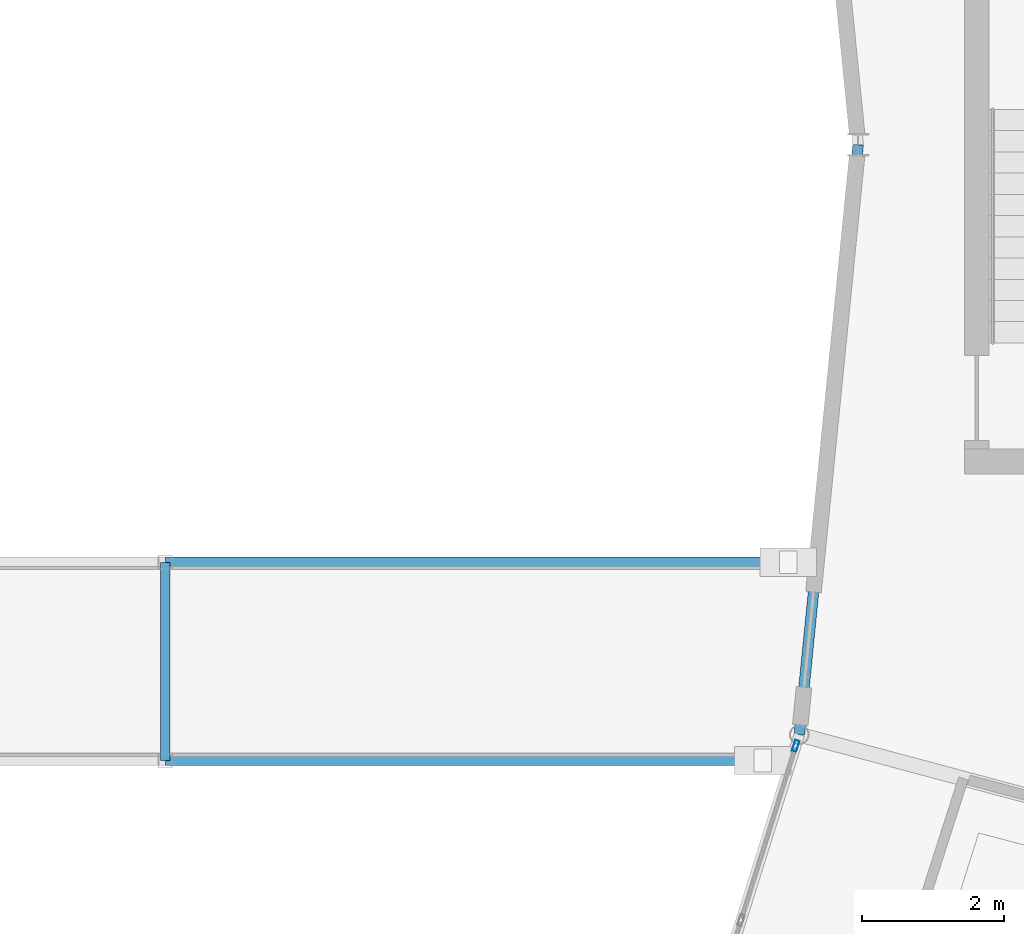
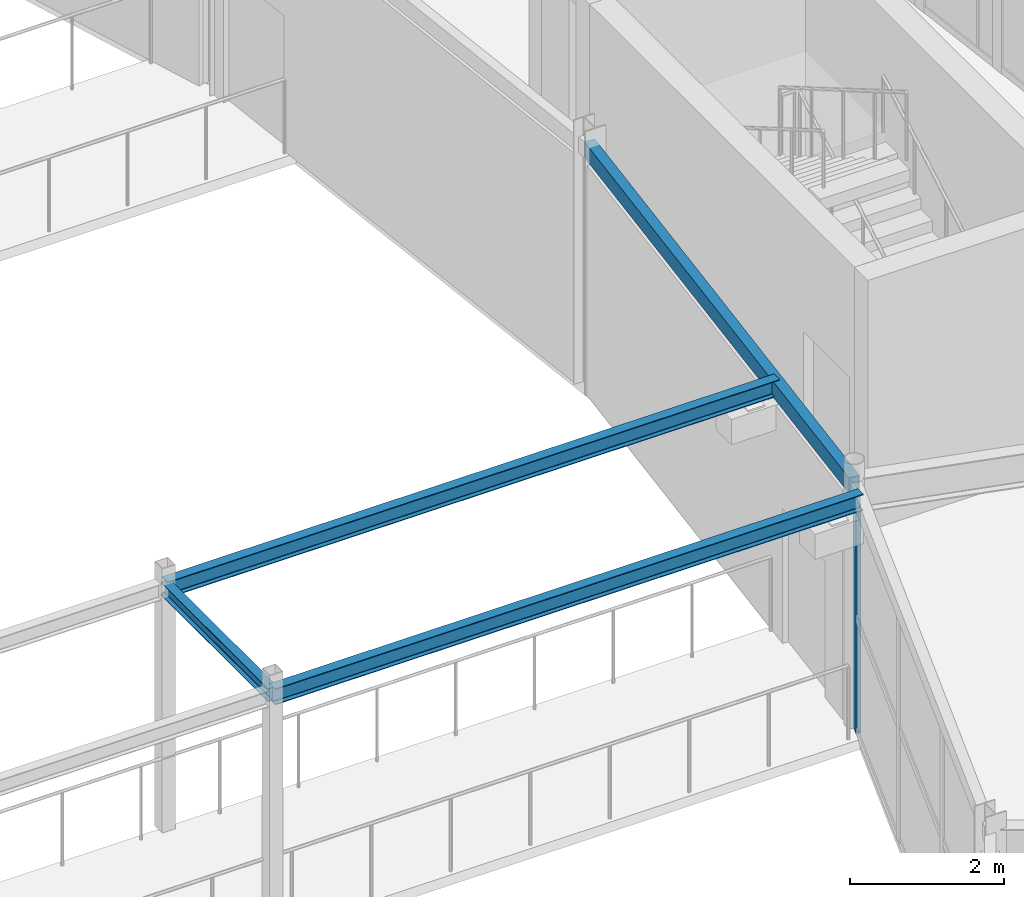
# One storey, part 63 of 148: 4 beams, 1 member, 1 element without a shape of its own.
"""IFC4 building model written with IfcOpenShell, lengths in metres."""

from ifc_helpers import new_model, si_unit, direction, frame, origin, origin_2d, place, context, subcontext, project, spatial, hollow_rectangle, i_section, extrude, material, material_profile, profile_set, type_object, element, aggregate, save


model = new_model("IFC4")

# Units and contexts
model_context = context("Model", 3, precision=1e-05, world=origin(), true_north=direction((0.0, 1.0)))
body_context = subcontext(model_context, "Body", "Model", "MODEL_VIEW")
ifc_project = project(units=[si_unit("LENGTHUNIT", "METRE"), si_unit("AREAUNIT", "SQUARE_METRE"), si_unit("VOLUMEUNIT", "CUBIC_METRE"), si_unit("PLANEANGLEUNIT", "RADIAN"), si_unit("MASSUNIT", "GRAM", prefix="KILO")], contexts=[model_context])

# Site, building, storey
site_placement = place(None, origin())
site = spatial("IfcSite", under=ifc_project, at=site_placement, CompositionType="ELEMENT")
building_placement = place(site_placement, origin())
building = spatial("IfcBuilding", under=site, at=building_placement, Name="Karori Crest Natural Sciences Institute", CompositionType="ELEMENT")
storey_placement = place(building_placement, frame((0.0, 0.0, 4.89990234375)))
storey = spatial("IfcBuildingStorey", under=building, at=storey_placement, Name="L01", CompositionType="ELEMENT", Elevation=4.89990234375)

# Beams
ifc_material_1 = material(Name="Structural steel AS/NZS 3679.1 Grade 350", Category="steel")
ifc_material_profile_1 = material_profile(ifc_material_1, i_section(OverallWidth=0.14599609375, OverallDepth=0.256103515625, WebThickness=0.00634765625, FlangeThickness=0.010986328125, FilletRadius=0.009033203125, at=origin_2d()), Name="250UB37.3")
ifc_profile_set_1 = profile_set([ifc_material_profile_1], Name="Structural steel AS/NZS 3679.1 Grade 350")
beam_type_1 = type_object("IfcBeamType", Name="BT-11", PredefinedType="BEAM", material=ifc_profile_set_1)
beam_1_placement = place(storey_placement, frame((81.010009765625, 41.199951171875, 3.81201171875), z_axis=(1.0, 0.0, 0.0), x_axis=(0.0, 1.0, 0.0)))
element("IfcBeam", 1, at=beam_1_placement, inside=storey, type_object=beam_type_1, Name="Beam B-2910", PredefinedType="BEAM", context=body_context, shape_type="SweptSolid", body=[
    extrude(i_section(OverallWidth=0.14599609375, OverallDepth=0.256103515625, WebThickness=0.00634765625, FlangeThickness=0.010986328125, FilletRadius=0.009033203125, at=origin_2d()), origin(), (0.0, 0.0, 1.0), 8.84375),
])
beam_2_placement = place(storey_placement, frame((81.010009765625, 44.0, 3.81201171875), z_axis=(1.0, 0.0, 0.0), x_axis=(0.0, 1.0, 0.0)))
element("IfcBeam", 2, at=beam_2_placement, inside=storey, type_object=beam_type_1, Name="Beam B-2912", PredefinedType="BEAM", context=body_context, shape_type="SweptSolid", body=[
    extrude(i_section(OverallWidth=0.14599609375, OverallDepth=0.256103515625, WebThickness=0.00634765625, FlangeThickness=0.010986328125, FilletRadius=0.009033203125, at=origin_2d()), origin(), (0.0, 0.0, 1.0), 9.201416015625),
])
ifc_material_profile_2 = material_profile(ifc_material_1, i_section(OverallWidth=0.134033203125, OverallDepth=0.20703125, WebThickness=0.00634765625, FlangeThickness=0.009521484375, FilletRadius=0.009033203125, at=origin_2d()), Name="200UB29.8")
ifc_profile_set_2 = profile_set([ifc_material_profile_2], Name="Structural steel AS/NZS 3679.1 Grade 350")
beam_type_2 = type_object("IfcBeamType", Name="BT-13", PredefinedType="BEAM", material=ifc_profile_set_2)
beam_3_placement = place(storey_placement, frame((81.010009765625, 41.199951171875, 3.820068359375), z_axis=(0.0, 1.0, 0.0), x_axis=(-1.0, 0.0, 0.0)))
element("IfcBeam", 3, at=beam_3_placement, inside=storey, type_object=beam_type_2, Name="Beam B-0735", PredefinedType="BEAM", context=body_context, shape_type="SweptSolid", body=[
    extrude(i_section(OverallWidth=0.134033203125, OverallDepth=0.20703125, WebThickness=0.00634765625, FlangeThickness=0.009521484375, FilletRadius=0.009033203125, at=origin_2d()), origin(), (0.0, 0.0, 1.0), 2.800048828125),
])
ifc_material_2 = material(Name="Hollow structural steel AS/NZS 1163 Grade C350", Category="steel")
ifc_material_profile_3 = material_profile(ifc_material_2, hollow_rectangle(XDim=0.14990234375, YDim=0.25, WallThickness=0.009033203125, at=origin_2d()), Name="RHS250x150x9")
ifc_profile_set_3 = profile_set([ifc_material_profile_3], Name="Hollow structural steel AS/NZS 1163 Grade C350")
beam_type_3 = type_object("IfcBeamType", Name="BT-16", PredefinedType="SPANDREL", material=ifc_profile_set_3)
beam_4_placement = place(storey_placement, frame((89.968505859375, 41.56591796875, 3.7900390625), z_axis=(0.099284371237, 0.99505910057, 0.0), x_axis=(-0.99505910057, 0.099284371237, 0.0)))
element("IfcBeam", 4, at=beam_4_placement, inside=storey, type_object=beam_type_3, Name="Beam B-0269", PredefinedType="SPANDREL", context=body_context, shape_type="SweptSolid", body=[
    extrude(hollow_rectangle(XDim=0.14990234375, YDim=0.25, WallThickness=0.009033203125, at=origin_2d()), origin(), (0.0, 0.0, 1.0), 8.37548828125),
])

# Curtain wall, member
ifc_material_3 = material(Name="Anodised architectural aluminium 6063-T6", Category="aluminium")
curtain_wall_type = type_object("IfcCurtainWallType", Name="CWT-13", PredefinedType="NOTDEFINED", material=ifc_material_3)
curtain_wall_placement = place(storey_placement, origin())
curtain_wall = element("IfcCurtainWall", 5, at=curtain_wall_placement, inside=storey, type_object=curtain_wall_type, Name="Curtain wall CW-0063", PredefinedType="NOTDEFINED")
ifc_material_profile_4 = material_profile(ifc_material_3, hollow_rectangle(XDim=0.06494140625, YDim=0.159912109375, WallThickness=0.00390625, at=origin_2d()), Name="CWM160x65x4")
ifc_profile_set_4 = profile_set([ifc_material_profile_4], Name="Anodised architectural aluminium 6063-T6")
member_type = type_object("IfcMemberType", Name="CWM-01", PredefinedType="MULLION", material=ifc_profile_set_4)
member_placement = place(storey_placement, frame((89.91845703125, 41.40673828125, 0.0), z_axis=(0.0, 0.0, 1.0), x_axis=(-0.954103649609, 0.2994765864, 0.0)))
member = element("IfcMember", 6, at=member_placement, type_object=member_type, Name="CW-0063 mullion 4", PredefinedType="MULLION", context=body_context, shape_type="SweptSolid", body=[
    extrude(hollow_rectangle(XDim=0.06494140625, YDim=0.159912109375, WallThickness=0.00390625, at=origin_2d()), origin(), (0.0, 0.0, 1.0), 3.650146484375),
])
aggregate(curtain_wall, [member])

save(model, "model.ifc")
